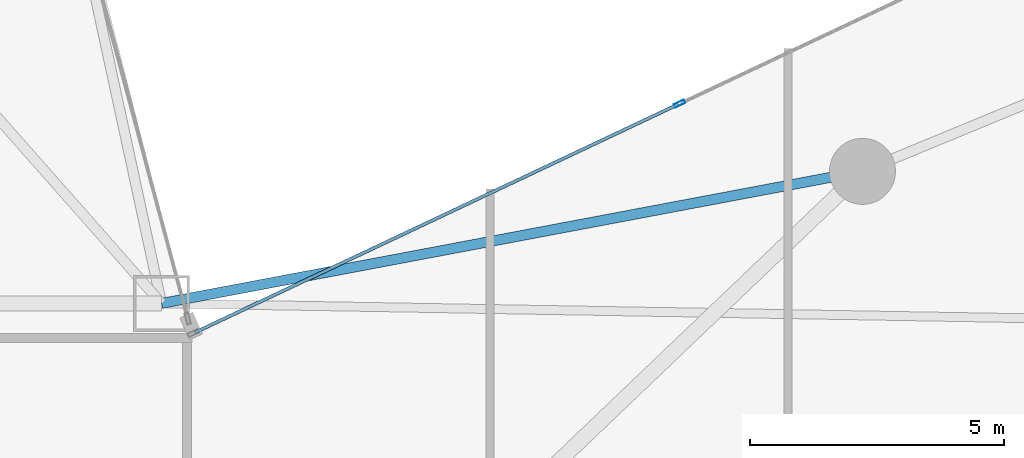
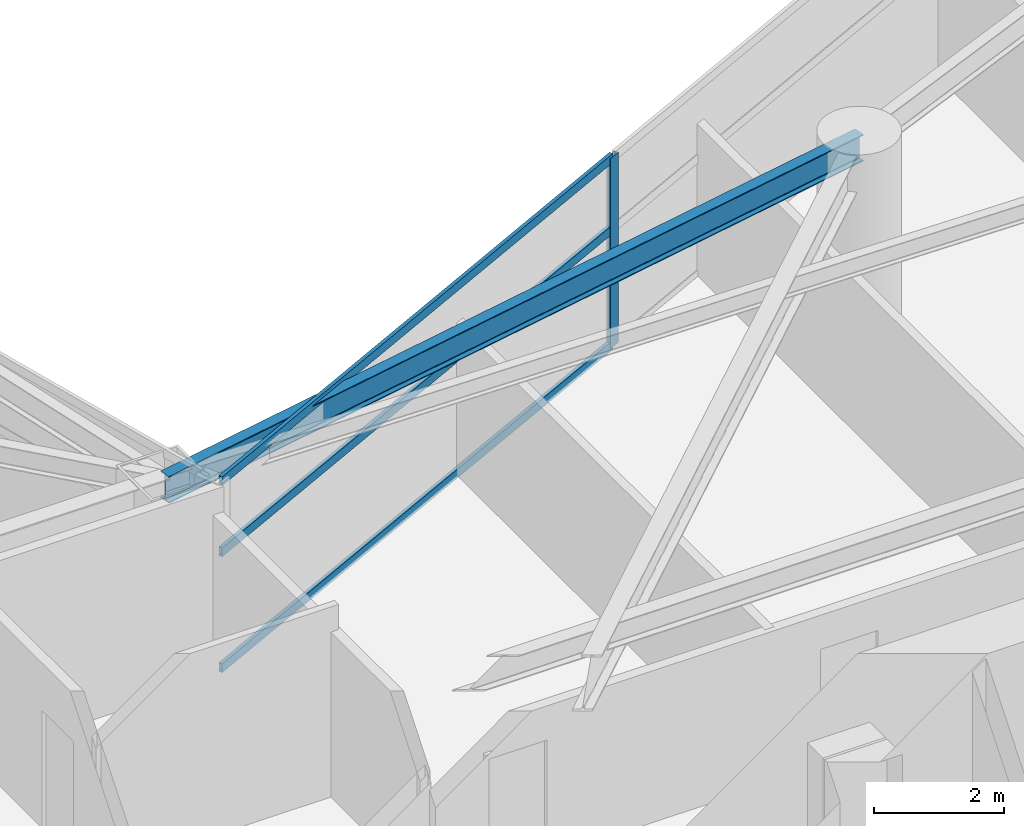
# One storey, part 11 of 29: 4 members, 1 beam, 1 element without a shape of its own.
"""IFC4 building model written with IfcOpenShell, lengths in metres."""

from ifc_helpers import new_model, si_unit, direction, frame, origin, origin_2d, place, context, subcontext, project, spatial, hollow_rectangle, i_section, extrude, material, layer, layer_set, material_profile, profile_set, type_object, element, aggregate, save


model = new_model("IFC4")

# Units and contexts
model_context = context("Model", 3, precision=1e-05, world=origin(), true_north=direction((0.0, 1.0)))
body_context = subcontext(model_context, "Body", "Model", "MODEL_VIEW")
ifc_project = project(units=[si_unit("LENGTHUNIT", "METRE"), si_unit("AREAUNIT", "SQUARE_METRE"), si_unit("VOLUMEUNIT", "CUBIC_METRE"), si_unit("PLANEANGLEUNIT", "RADIAN"), si_unit("MASSUNIT", "GRAM", prefix="KILO")], contexts=[model_context])

# Site, building, storey
site_placement = place(None, origin())
site = spatial("IfcSite", under=ifc_project, at=site_placement, CompositionType="ELEMENT")
building_placement = place(site_placement, origin())
building = spatial("IfcBuilding", under=site, at=building_placement, Name="Calvorn Quay Hotel", CompositionType="ELEMENT")
storey_placement = place(building_placement, frame((0.0, 0.0, 58.39990234375)))
storey = spatial("IfcBuildingStorey", under=building, at=storey_placement, Name="L13", CompositionType="ELEMENT", Elevation=58.39990234375)

# Beam
ifc_material_1 = material(Name="Steel Q355B", Category="steel")
ifc_material_profile_1 = material_profile(ifc_material_1, i_section(OverallWidth=0.199951171875, OverallDepth=0.5, WebThickness=0.010009765625, FlangeThickness=0.01611328125, FilletRadius=0.01611328125, at=origin_2d()), Name="HN500x200x10x16")
ifc_profile_set_1 = profile_set([ifc_material_profile_1], Name="Steel Q355B")
beam_type = type_object("IfcBeamType", Name="BM-SPANDREL-Z1", PredefinedType="SPANDREL", material=ifc_profile_set_1)
beam_placement = place(storey_placement, frame((34.800048828125, 27.60009765625, 3.2900390625), z_axis=(-0.982709432406, -0.185154452988, 0.0), x_axis=(0.185154452988, -0.982709432406, 0.0)))
element("IfcBeam", 1, at=beam_placement, inside=storey, type_object=beam_type, Name="Beam BSP-L13-E5", PredefinedType="SPANDREL", context=body_context, shape_type="SweptSolid", body=[
    extrude(i_section(OverallWidth=0.199951171875, OverallDepth=0.5, WebThickness=0.010009765625, FlangeThickness=0.01611328125, FilletRadius=0.01611328125, at=origin_2d()), origin(), (0.0, 0.0, 1.0), 14.04296875),
])

# Curtain wall, members
ifc_material_2 = material(Name="Pale Anodised Aluminium and Low-E Glass", Category="aluminium")
ifc_layer = layer(ifc_material_2, 0.219970703125)
ifc_layer_set = layer_set([ifc_layer], Name="CW-SYS-Z1")
curtain_wall_type = type_object("IfcCurtainWallType", Name="CW-SYS-Z1", PredefinedType="NOTDEFINED", material=ifc_layer_set)
curtain_wall_placement = place(storey_placement, origin())
curtain_wall = element("IfcCurtainWall", 2, at=curtain_wall_placement, inside=storey, type_object=curtain_wall_type, Name="Inner Court Curtain Wall L13-NE1", PredefinedType="NOTDEFINED")
ifc_material_3 = material(Name="Pale Anodised Aluminium 6063-T6", Category="aluminium")
ifc_material_profile_2 = material_profile(ifc_material_3, hollow_rectangle(XDim=0.074951171875, YDim=0.219970703125, WallThickness=0.00439453125, at=origin_2d()), Name="ALU-M220x75x4.5")
ifc_profile_set_2 = profile_set([ifc_material_profile_2], Name="Pale Anodised Aluminium 6063-T6")
member_type_1 = type_object("IfcMemberType", Name="CW-SYS-Z1-MUL", PredefinedType="MULLION", material=ifc_profile_set_2)
member_1_placement = place(storey_placement, frame((31.199951171875, 28.933349609375, 0.0), z_axis=(0.0, 0.0, 1.0), x_axis=(0.427006305415, -0.904248646743, 0.0)))
member_1 = element("IfcMember", 3, at=member_1_placement, type_object=member_type_1, Name="CW-L13-NE1 mullion 3", PredefinedType="MULLION", context=body_context, shape_type="SweptSolid", body=[
    extrude(hollow_rectangle(XDim=0.074951171875, YDim=0.219970703125, WallThickness=0.00439453125, at=origin_2d()), origin(), (0.0, 0.0, 1.0), 3.56005859375),
])
ifc_material_4 = material(Name="Pale Anodised Aluminium 6063-T6", Category="aluminium")
ifc_material_profile_3 = material_profile(ifc_material_4, hollow_rectangle(XDim=0.06494140625, YDim=0.1650390625, WallThickness=0.00341796875, at=origin_2d()), Name="ALU-T165x65x3.5")
ifc_profile_set_3 = profile_set([ifc_material_profile_3], Name="Pale Anodised Aluminium 6063-T6")
member_type_2 = type_object("IfcMemberType", Name="CW-SYS-Z1-TRN", PredefinedType="USERDEFINED", material=ifc_profile_set_3)
member_2_placement = place(storey_placement, frame((31.1728515625, 28.92041015625, 0.030029296875), z_axis=(-0.904248646746, -0.427006305408, 0.0), x_axis=(0.427006305408, -0.904248646746, 0.0)))
member_2 = element("IfcMember", 4, at=member_2_placement, type_object=member_type_2, Name="CW-L13-NE1 transom 3.1", ObjectType="TRANSOM", PredefinedType="USERDEFINED", context=body_context, shape_type="SweptSolid", body=[
    extrude(hollow_rectangle(XDim=0.06494140625, YDim=0.1650390625, WallThickness=0.00341796875, at=origin_2d()), origin(), (0.0, 0.0, 1.0), 10.5263671875),
])
member_3_placement = place(storey_placement, frame((31.1728515625, 28.92041015625, 2.2001953125), z_axis=(-0.904248646746, -0.427006305408, 0.0), x_axis=(0.427006305408, -0.904248646746, 0.0)))
member_3 = element("IfcMember", 5, at=member_3_placement, type_object=member_type_2, Name="CW-L13-NE1 transom 3.2", ObjectType="TRANSOM", PredefinedType="USERDEFINED", context=body_context, shape_type="SweptSolid", body=[
    extrude(hollow_rectangle(XDim=0.06494140625, YDim=0.1650390625, WallThickness=0.00341796875, at=origin_2d()), origin(), (0.0, 0.0, 1.0), 10.5263671875),
])
member_4_placement = place(storey_placement, frame((31.1728515625, 28.92041015625, 3.530029296875), z_axis=(-0.904248646746, -0.427006305408, 0.0), x_axis=(0.427006305408, -0.904248646746, 0.0)))
member_4 = element("IfcMember", 6, at=member_4_placement, type_object=member_type_2, Name="CW-L13-NE1 transom 3.3", ObjectType="TRANSOM", PredefinedType="USERDEFINED", context=body_context, shape_type="SweptSolid", body=[
    extrude(hollow_rectangle(XDim=0.06494140625, YDim=0.1650390625, WallThickness=0.00341796875, at=origin_2d()), origin(), (0.0, 0.0, 1.0), 10.5263671875),
])
aggregate(curtain_wall, [member_1, member_2, member_3, member_4])

save(model, "model.ifc")
